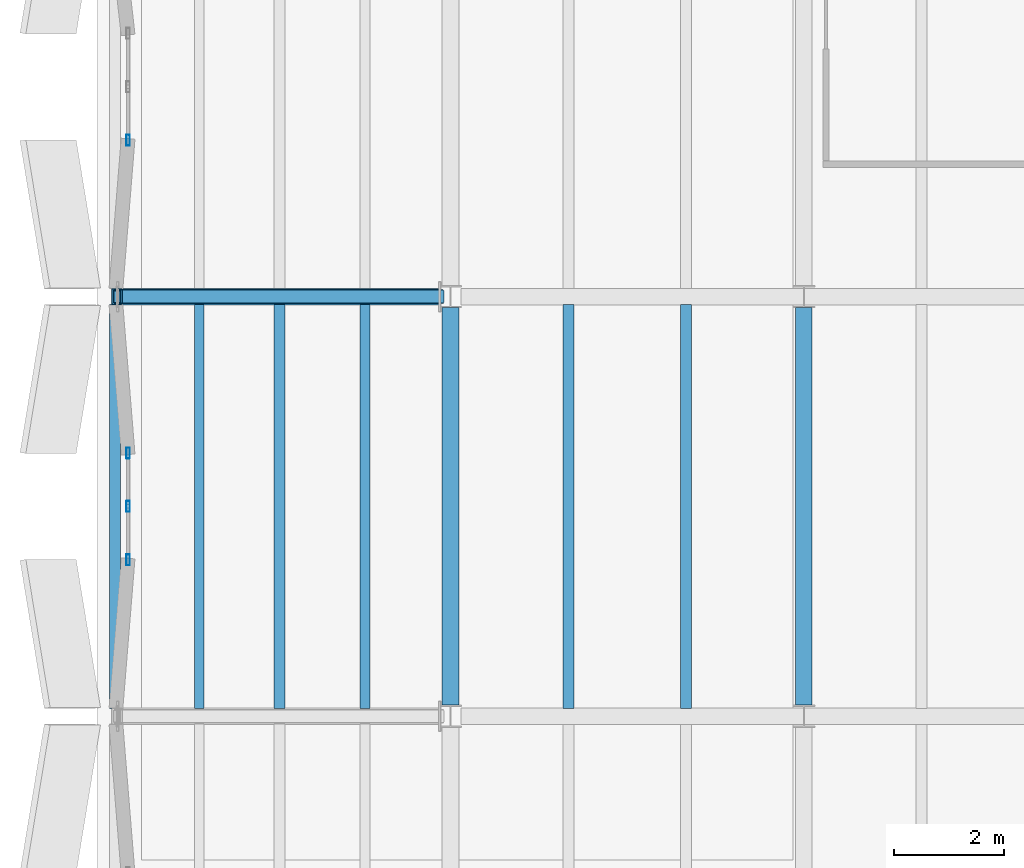
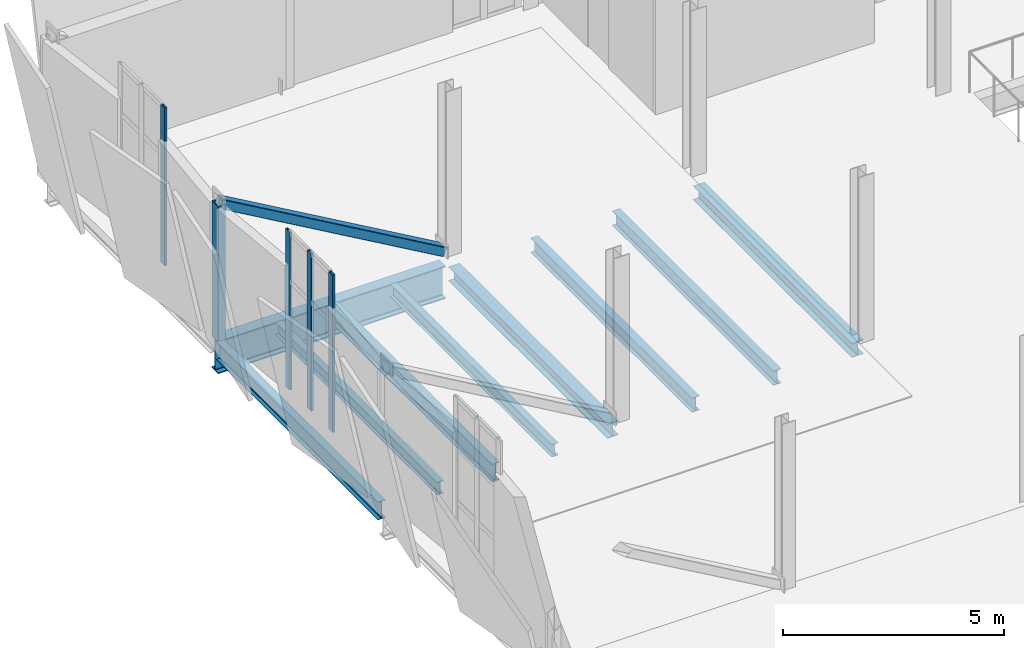
# One storey, part 62 of 172: 9 beams, 6 members, 2 elements without a shape of their own.
"""IFC4 building model written with IfcOpenShell, lengths in metres."""

from ifc_helpers import new_model, si_unit, direction, frame, origin, origin_2d, place, context, subcontext, project, spatial, hollow_rectangle, i_section, extrude, material, material_profile, profile_set, type_object, element, aggregate, save


model = new_model("IFC4")

# Units and contexts
model_context = context("Model", 3, precision=1e-05, world=origin(), true_north=direction((0.0, 1.0)))
body_context = subcontext(model_context, "Body", "Model", "MODEL_VIEW")
ifc_project = project(units=[si_unit("LENGTHUNIT", "METRE"), si_unit("AREAUNIT", "SQUARE_METRE"), si_unit("VOLUMEUNIT", "CUBIC_METRE"), si_unit("PLANEANGLEUNIT", "RADIAN"), si_unit("MASSUNIT", "GRAM", prefix="KILO")], contexts=[model_context])

# Site, building, storey
site_placement = place(None, origin())
site = spatial("IfcSite", under=ifc_project, at=site_placement, CompositionType="ELEMENT")
building_placement = place(site_placement, origin())
building = spatial("IfcBuilding", under=site, at=building_placement, Name="Shengluoqiao Park Theatre", CompositionType="ELEMENT")
storey_placement = place(building_placement, frame((0.0, 0.0, 5.39990234375)))
storey = spatial("IfcBuildingStorey", under=building, at=storey_placement, Name="L01", CompositionType="ELEMENT", Elevation=5.39990234375)

# Curtain wall, members
ifc_material_1 = material(Name="Aluminium 6063-T6", Category="aluminium")
curtain_wall_type = type_object("IfcCurtainWallType", Name="ENV-CW-FOYER", PredefinedType="NOTDEFINED", material=ifc_material_1)
curtain_wall_1_placement = place(storey_placement, origin())
curtain_wall_1 = element("IfcCurtainWall", 1, at=curtain_wall_1_placement, inside=storey, type_object=curtain_wall_type, Name="L01 Curtain Wall CW-L01-SLIT-0236", PredefinedType="NOTDEFINED")
ifc_material_profile_1 = material_profile(ifc_material_1, hollow_rectangle(XDim=0.06494140625, YDim=0.199951171875, WallThickness=0.0048828125, InnerFilletRadius=0.0048828125, OuterFilletRadius=0.010009765625, at=origin_2d()), Name="ALU MULLION 200x65x5")
ifc_profile_set_1 = profile_set([ifc_material_profile_1], Name="Aluminium 6063-T6")
member_type_1 = type_object("IfcMemberType", Name="ENV-MUL-200", PredefinedType="MULLION", material=ifc_profile_set_1)
member_1_placement = place(storey_placement, frame((0.56005859375, 63.632568359375, 0.0), z_axis=(0.0, 0.0, 1.0), x_axis=(-1.0, 0.0, 0.0)))
member_1 = element("IfcMember", 2, at=member_1_placement, type_object=member_type_1, Name="CW-01 mullion 1", PredefinedType="MULLION", context=body_context, shape_type="SweptSolid", body=[
    extrude(hollow_rectangle(XDim=0.06494140625, YDim=0.199951171875, WallThickness=0.0048828125, InnerFilletRadius=0.0048828125, OuterFilletRadius=0.010009765625, at=origin_2d()), origin(), (0.0, 0.0, 1.0), 4.360107421875),
])
member_2_placement = place(storey_placement, frame((0.56005859375, 64.60009765625, 0.0), z_axis=(0.0, 0.0, 1.0), x_axis=(-1.0, 0.0, 0.0)))
member_2 = element("IfcMember", 3, at=member_2_placement, type_object=member_type_1, Name="CW-01 mullion 2", PredefinedType="MULLION", context=body_context, shape_type="SweptSolid", body=[
    extrude(hollow_rectangle(XDim=0.06494140625, YDim=0.199951171875, WallThickness=0.0048828125, InnerFilletRadius=0.0048828125, OuterFilletRadius=0.010009765625, at=origin_2d()), origin(), (0.0, 0.0, 1.0), 4.360107421875),
])
member_3_placement = place(storey_placement, frame((0.56005859375, 65.5673828125, 0.0), z_axis=(0.0, 0.0, 1.0), x_axis=(-1.0, 0.0, 0.0)))
member_3 = element("IfcMember", 4, at=member_3_placement, type_object=member_type_1, Name="CW-01 mullion 3", PredefinedType="MULLION", context=body_context, shape_type="SweptSolid", body=[
    extrude(hollow_rectangle(XDim=0.06494140625, YDim=0.199951171875, WallThickness=0.0048828125, InnerFilletRadius=0.0048828125, OuterFilletRadius=0.010009765625, at=origin_2d()), origin(), (0.0, 0.0, 1.0), 4.360107421875),
])
aggregate(curtain_wall_1, [member_1, member_2, member_3])

# Curtain wall, member
curtain_wall_2_placement = place(storey_placement, origin())
curtain_wall_2 = element("IfcCurtainWall", 5, at=curtain_wall_2_placement, inside=storey, type_object=curtain_wall_type, Name="L01 Curtain Wall CW-L01-SLIT-0237", PredefinedType="NOTDEFINED")
member_4_placement = place(storey_placement, frame((0.56005859375, 71.232421875, 0.0), z_axis=(0.0, 0.0, 1.0), x_axis=(-1.0, 0.0, 0.0)))
member_4 = element("IfcMember", 6, at=member_4_placement, type_object=member_type_1, Name="CW-01 mullion 1", PredefinedType="MULLION", context=body_context, shape_type="SweptSolid", body=[
    extrude(hollow_rectangle(XDim=0.06494140625, YDim=0.199951171875, WallThickness=0.0048828125, InnerFilletRadius=0.0048828125, OuterFilletRadius=0.010009765625, at=origin_2d()), origin(), (0.0, 0.0, 1.0), 4.360107421875),
])
aggregate(curtain_wall_2, [member_4])

# Beams
ifc_material_2 = material(Name="Steel Q355", Category="steel")
ifc_material_profile_2 = material_profile(ifc_material_2, i_section(OverallWidth=0.300048828125, OverallDepth=0.389892578125, WebThickness=0.010009765625, FlangeThickness=0.01611328125, FilletRadius=0.01806640625, at=origin_2d()), Name="HM 390x300x10x16")
ifc_profile_set_2 = profile_set([ifc_material_profile_2], Name="Steel Q355")
beam_type_1 = type_object("IfcBeamType", Name="STR-BM-G-HM390", PredefinedType="BEAM", material=ifc_profile_set_2)
for number, where, z_axis, x_axis, name in (
    (7, (6.39990234375, 61.0009765625, -0.434814453125), (0.0, 1.0, 0.0), (-1.0, 0.0, 0.0), "L01 Transverse Girder 00458"),
    (8, (12.800048828125, 61.0009765625, -0.434814453125), (0.0, 1.0, 0.0), (-1.0, 0.0, 0.0), "L01 Transverse Girder 00461"),
):
    element("IfcBeam", number, at=place(storey_placement, frame(where, z_axis=z_axis, x_axis=x_axis)), inside=storey, type_object=beam_type_1, Name=name, PredefinedType="BEAM", context=body_context, shape_type="SweptSolid", body=[
        extrude(i_section(OverallWidth=0.300048828125, OverallDepth=0.389892578125, WebThickness=0.010009765625, FlangeThickness=0.01611328125, FilletRadius=0.01806640625, at=origin_2d()), origin(), (0.0, 0.0, 1.0), 7.197998046875),
    ])
ifc_material_3 = material(Name="Steel Q390", Category="steel")
ifc_material_profile_3 = material_profile(ifc_material_3, i_section(OverallWidth=0.300048828125, OverallDepth=0.89990234375, WebThickness=0.01611328125, FlangeThickness=0.028076171875, FilletRadius=0.028076171875, at=origin_2d()), Name="HN 900x300x16x28")
ifc_profile_set_3 = profile_set([ifc_material_profile_3], Name="Steel Q390")
beam_type_2 = type_object("IfcBeamType", Name="STR-BM-G-HN900", PredefinedType="BEAM", material=ifc_profile_set_3)
beam_placement = place(storey_placement, frame((0.260009765625, 68.39990234375, -0.68994140625), z_axis=(1.0, 0.0, 0.0), x_axis=(0.0, 1.0, 0.0)))
element("IfcBeam", 9, at=beam_placement, inside=storey, type_object=beam_type_2, Name="CT-V5-2 L01 Cantilever Overhang Chord", PredefinedType="BEAM", context=body_context, shape_type="SweptSolid", body=[
    extrude(i_section(OverallWidth=0.300048828125, OverallDepth=0.89990234375, WebThickness=0.01611328125, FlangeThickness=0.028076171875, FilletRadius=0.028076171875, at=origin_2d()), origin(), (0.0, 0.0, 1.0), 5.949462890625),
])
ifc_material_profile_4 = material_profile(ifc_material_2, i_section(OverallWidth=0.175048828125, OverallDepth=0.35009765625, WebThickness=0.007080078125, FlangeThickness=0.010986328125, FilletRadius=0.013916015625, at=origin_2d()), Name="HN 350x175x7x11")
ifc_profile_set_4 = profile_set([ifc_material_profile_4], Name="Steel Q355")
beam_type_3 = type_object("IfcBeamType", Name="STR-BM-J-HN350", PredefinedType="JOIST", material=ifc_profile_set_4)
for number, where, z_axis, x_axis, name in (
    (10, (1.85009765625, 60.944091796875, -0.414794921875), (0.0, 1.0, 0.0), (-1.0, 0.0, 0.0), "V5 L01 Cantilever Joist 00044"),
    (11, (4.85009765625, 60.944091796875, -0.414794921875), (0.0, 1.0, 0.0), (-1.0, 0.0, 0.0), "V5 L01 Cantilever Joist 00047"),
):
    element("IfcBeam", number, at=place(storey_placement, frame(where, z_axis=z_axis, x_axis=x_axis)), inside=storey, type_object=beam_type_3, Name=name, PredefinedType="JOIST", context=body_context, shape_type="SweptSolid", body=[
        extrude(i_section(OverallWidth=0.175048828125, OverallDepth=0.35009765625, WebThickness=0.007080078125, FlangeThickness=0.010986328125, FilletRadius=0.013916015625, at=origin_2d()), origin(), (0.0, 0.0, 1.0), 7.31201171875),
    ])
ifc_material_profile_5 = material_profile(ifc_material_2, i_section(OverallWidth=0.199951171875, OverallDepth=0.39990234375, WebThickness=0.008056640625, FlangeThickness=0.012939453125, FilletRadius=0.01611328125, at=origin_2d()), Name="HN 400x200x8x13")
ifc_profile_set_5 = profile_set([ifc_material_profile_5], Name="Steel Q355")
beam_type_4 = type_object("IfcBeamType", Name="STR-BM-J-HN400", PredefinedType="JOIST", material=ifc_profile_set_5)
for number, where, z_axis, x_axis, name in (
    (12, (8.533203125, 60.945068359375, -0.43994140625), (0.0, 1.0, 0.0), (-1.0, 0.0, 0.0), "L01 Composite Joist 00470"),
    (13, (10.666748046875, 60.945068359375, -0.43994140625), (0.0, 1.0, 0.0), (-1.0, 0.0, 0.0), "L01 Composite Joist 00471"),
):
    element("IfcBeam", number, at=place(storey_placement, frame(where, z_axis=z_axis, x_axis=x_axis)), inside=storey, type_object=beam_type_4, Name=name, PredefinedType="JOIST", context=body_context, shape_type="SweptSolid", body=[
        extrude(i_section(OverallWidth=0.199951171875, OverallDepth=0.39990234375, WebThickness=0.008056640625, FlangeThickness=0.012939453125, FilletRadius=0.01611328125, at=origin_2d()), origin(), (0.0, 0.0, 1.0), 7.309814453125),
    ])
ifc_material_profile_6 = material_profile(ifc_material_2, i_section(OverallWidth=0.198974609375, OverallDepth=0.49609375, WebThickness=0.009033203125, FlangeThickness=0.013916015625, FilletRadius=0.01806640625, at=origin_2d()), Name="HN 496x199x9x14")
ifc_profile_set_6 = profile_set([ifc_material_profile_6], Name="Steel Q355")
beam_type_5 = type_object("IfcBeamType", Name="STR-BM-SP-HN496", PredefinedType="SPANDREL", material=ifc_profile_set_6)
for number, where, z_axis, x_axis, name in (
    (14, (0.320068359375, 60.944091796875, -0.48779296875), (0.0, 1.0, 0.0), (-1.0, 0.0, 0.0), "V5 L01 Cantilever Spandrel 00040"),
    (15, (3.300048828125, 60.944091796875, -0.48779296875), (0.0, 1.0, 0.0), (-1.0, 0.0, 0.0), "V5 L01 Cantilever Spandrel 00042"),
):
    element("IfcBeam", number, at=place(storey_placement, frame(where, z_axis=z_axis, x_axis=x_axis)), inside=storey, type_object=beam_type_5, Name=name, PredefinedType="SPANDREL", context=body_context, shape_type="SweptSolid", body=[
        extrude(i_section(OverallWidth=0.198974609375, OverallDepth=0.49609375, WebThickness=0.009033203125, FlangeThickness=0.013916015625, FilletRadius=0.01806640625, at=origin_2d()), origin(), (0.0, 0.0, 1.0), 7.31201171875),
    ])

# Members
ifc_material_profile_7 = material_profile(ifc_material_2, hollow_rectangle(XDim=0.25, YDim=0.25, WallThickness=0.011962890625, InnerFilletRadius=0.011962890625, OuterFilletRadius=0.02392578125, at=origin_2d()), Name="RHS 250x250x12")
ifc_profile_set_7 = profile_set([ifc_material_profile_7], Name="Steel Q355")
member_type_2 = type_object("IfcMemberType", Name="STR-MEM-BRR-250", PredefinedType="BRACE", material=ifc_profile_set_7)
member_5_placement = place(storey_placement, frame((6.215087890625, 68.39990234375, 0.1201171875), z_axis=(-0.866056898016, 0.0, 0.499945446423), x_axis=(0.0, -1.0, 0.0)))
element("IfcMember", 16, at=member_5_placement, inside=storey, type_object=member_type_2, Name="CT-V5-2 L01 Cantilever Raking Strut", PredefinedType="BRACE", context=body_context, shape_type="SweptSolid", body=[
    extrude(hollow_rectangle(XDim=0.25, YDim=0.25, WallThickness=0.011962890625, InnerFilletRadius=0.011962890625, OuterFilletRadius=0.02392578125, at=origin_2d()), origin(), (0.0, 0.0, 1.0), 6.760498046875),
])
ifc_material_profile_8 = material_profile(ifc_material_3, hollow_rectangle(XDim=0.199951171875, YDim=0.300048828125, WallThickness=0.011962890625, InnerFilletRadius=0.011962890625, OuterFilletRadius=0.02392578125, at=origin_2d()), Name="RHS 300x200x12")
ifc_profile_set_8 = profile_set([ifc_material_profile_8], Name="Steel Q390")
member_type_3 = type_object("IfcMemberType", Name="STR-MEM-PTR-302", PredefinedType="POST", material=ifc_profile_set_8)
member_6_placement = place(storey_placement, frame((0.360107421875, 68.39990234375, -0.260009765625), z_axis=(0.0, 0.0, 1.0), x_axis=(1.0, 0.0, 0.0)))
element("IfcMember", 17, at=member_6_placement, inside=storey, type_object=member_type_3, Name="CT-V5-2 L01 Cantilever Tip Post", PredefinedType="POST", context=body_context, shape_type="SweptSolid", body=[
    extrude(hollow_rectangle(XDim=0.199951171875, YDim=0.300048828125, WallThickness=0.011962890625, InnerFilletRadius=0.011962890625, OuterFilletRadius=0.02392578125, at=origin_2d()), origin(), (0.0, 0.0, 1.0), 3.739990234375),
])

save(model, "model.ifc")
